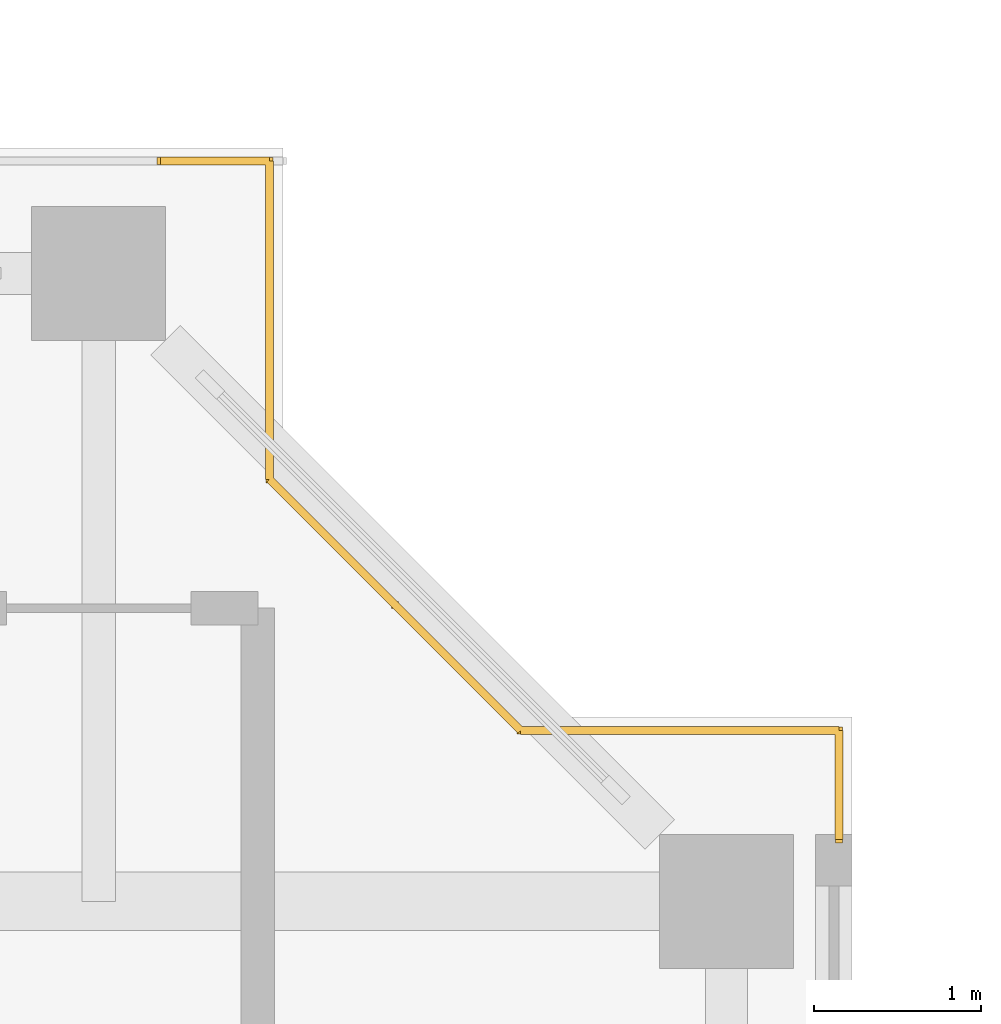
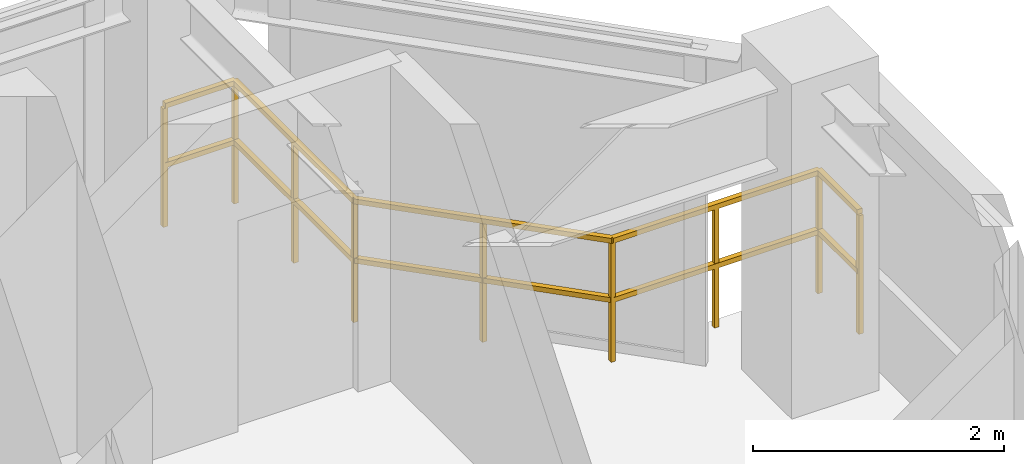
# One storey, part 24 of 24: 1 railing.
"""IFC4 building model written with IfcOpenShell, lengths in metres."""

from ifc_helpers import new_model, si_unit, direction, frame, origin, origin_2d, place, context, subcontext, project, spatial, rectangle, extrude, material, type_object, element, save


model = new_model("IFC4")

# Units and contexts
model_context = context("Model", 3, precision=1e-05, world=origin(), true_north=direction((0.0, 1.0)))
body_context = subcontext(model_context, "Body", "Model", "MODEL_VIEW")
ifc_project = project(units=[si_unit("LENGTHUNIT", "METRE"), si_unit("AREAUNIT", "SQUARE_METRE"), si_unit("VOLUMEUNIT", "CUBIC_METRE"), si_unit("PLANEANGLEUNIT", "RADIAN"), si_unit("MASSUNIT", "GRAM", prefix="KILO"), si_unit("THERMODYNAMICTEMPERATUREUNIT", "KELVIN"), si_unit("POWERUNIT", "WATT")], contexts=[model_context])

# Site, building, storey
site_placement = place(None, origin())
site = spatial("IfcSite", under=ifc_project, at=site_placement, CompositionType="ELEMENT")
building_placement = place(site_placement, origin())
building = spatial("IfcBuilding", under=site, at=building_placement, Name="Qiaomeng Ring Towers", CompositionType="ELEMENT")
storey_placement = place(building_placement, frame((0.0, 0.0, 69.75)))
storey = spatial("IfcBuildingStorey", under=building, at=storey_placement, Name="L19", CompositionType="ELEMENT", Elevation=69.75)

# Railing
ifc_material = material(Name="Low-E pale-green laminated safety glass", Category="glass")
railing_type = type_object("IfcRailingType", Name="ARC-RL-BAL1", PredefinedType="BALUSTRADE", material=ifc_material)
railing_placement = place(storey_placement, frame((73.02001953125, 31.469970703125, 0.0)))
element("IfcRailing", 1, at=railing_placement, inside=storey, type_object=railing_type, Name="L19 Balustrade ARC-BAL-NOTCH2-L19-NE", PredefinedType="BALUSTRADE", context=body_context, shape_type="SweptSolid", body=[
    extrude(rectangle(XDim=0.048095703125, YDim=0.048095703125, at=origin_2d()), frame((0.0, 0.0, 1.17578125), z_axis=(0.0, 1.0, 0.0), x_axis=(-1.0, 0.0, 0.0)), (0.0, 0.0, 1.0), 0.650146484375),
    extrude(rectangle(XDim=0.048095703125, YDim=0.048095703125, at=origin_2d()), frame((0.0, 0.0, 0.60009765625), z_axis=(0.0, 1.0, 0.0), x_axis=(-1.0, 0.0, 0.0)), (0.0, 0.0, 1.0), 0.650146484375),
    extrude(rectangle(XDim=0.048095703125, YDim=0.048095703125, at=origin_2d()), frame((0.0, 0.650146484375, 1.17578125), z_axis=(-1.0, 0.0, 0.0), x_axis=(0.0, -1.0, 0.0)), (0.0, 0.0, 1.0), 1.89990234375),
    extrude(rectangle(XDim=0.048095703125, YDim=0.048095703125, at=origin_2d()), frame((0.0, 0.650146484375, 0.60009765625), z_axis=(-1.0, 0.0, 0.0), x_axis=(0.0, -1.0, 0.0)), (0.0, 0.0, 1.0), 1.89990234375),
    extrude(rectangle(XDim=0.048095703125, YDim=0.048095703125, at=origin_2d()), frame((-1.89990234375, 0.650146484375, 1.17578125), z_axis=(-0.707106781187, 0.707106781187, 0.0), x_axis=(-0.707106781187, -0.707106781187, 0.0)), (0.0, 0.0, 1.0), 2.121337890625),
    extrude(rectangle(XDim=0.048095703125, YDim=0.048095703125, at=origin_2d()), frame((-1.89990234375, 0.650146484375, 0.60009765625), z_axis=(-0.707106781187, 0.707106781187, 0.0), x_axis=(-0.707106781187, -0.707106781187, 0.0)), (0.0, 0.0, 1.0), 2.121337890625),
    extrude(rectangle(XDim=0.048095703125, YDim=0.048095703125, at=origin_2d()), frame((-3.39990234375, 2.150146484375, 1.17578125), z_axis=(0.0, 1.0, 0.0), x_axis=(-1.0, 0.0, 0.0)), (0.0, 0.0, 1.0), 1.89990234375),
    extrude(rectangle(XDim=0.048095703125, YDim=0.048095703125, at=origin_2d()), frame((-3.39990234375, 2.150146484375, 0.60009765625), z_axis=(0.0, 1.0, 0.0), x_axis=(-1.0, 0.0, 0.0)), (0.0, 0.0, 1.0), 1.89990234375),
    extrude(rectangle(XDim=0.048095703125, YDim=0.048095703125, at=origin_2d()), frame((-3.39990234375, 4.050048828125, 1.17578125), z_axis=(-1.0, 0.0, 0.0), x_axis=(0.0, -1.0, 0.0)), (0.0, 0.0, 1.0), 0.650146484375),
    extrude(rectangle(XDim=0.048095703125, YDim=0.048095703125, at=origin_2d()), frame((-3.39990234375, 4.050048828125, 0.60009765625), z_axis=(-1.0, 0.0, 0.0), x_axis=(0.0, -1.0, 0.0)), (0.0, 0.0, 1.0), 0.650146484375),
    extrude(rectangle(XDim=0.0419921875, YDim=0.0419921875, at=origin_2d()), origin(), (0.0, 0.0, 1.0), 1.15185546875),
    extrude(rectangle(XDim=0.0419921875, YDim=0.0419921875, at=origin_2d()), frame((0.0, 0.650146484375, 0.0)), (0.0, 0.0, 1.0), 1.15185546875),
    extrude(rectangle(XDim=0.0419921875, YDim=0.0419921875, at=origin_2d()), frame((-0.949951171875, 0.650146484375, 0.0)), (0.0, 0.0, 1.0), 1.15185546875),
    extrude(rectangle(XDim=0.0419921875, YDim=0.0419921875, at=origin_2d()), frame((-1.89990234375, 0.650146484375, 0.0)), (0.0, 0.0, 1.0), 1.15185546875),
    extrude(rectangle(XDim=0.0419921875, YDim=0.0419921875, at=origin_2d()), frame((-2.64990234375, 1.400146484375, 0.0)), (0.0, 0.0, 1.0), 1.15185546875),
    extrude(rectangle(XDim=0.0419921875, YDim=0.0419921875, at=origin_2d()), frame((-3.39990234375, 2.150146484375, 0.0)), (0.0, 0.0, 1.0), 1.15185546875),
    extrude(rectangle(XDim=0.0419921875, YDim=0.0419921875, at=origin_2d()), frame((-3.39990234375, 3.10009765625, 0.0)), (0.0, 0.0, 1.0), 1.15185546875),
    extrude(rectangle(XDim=0.0419921875, YDim=0.0419921875, at=origin_2d()), frame((-3.39990234375, 4.050048828125, 0.0)), (0.0, 0.0, 1.0), 1.15185546875),
    extrude(rectangle(XDim=0.0419921875, YDim=0.0419921875, at=origin_2d()), frame((-4.050048828125, 4.050048828125, 0.0)), (0.0, 0.0, 1.0), 1.15185546875),
])

save(model, "model.ifc")
